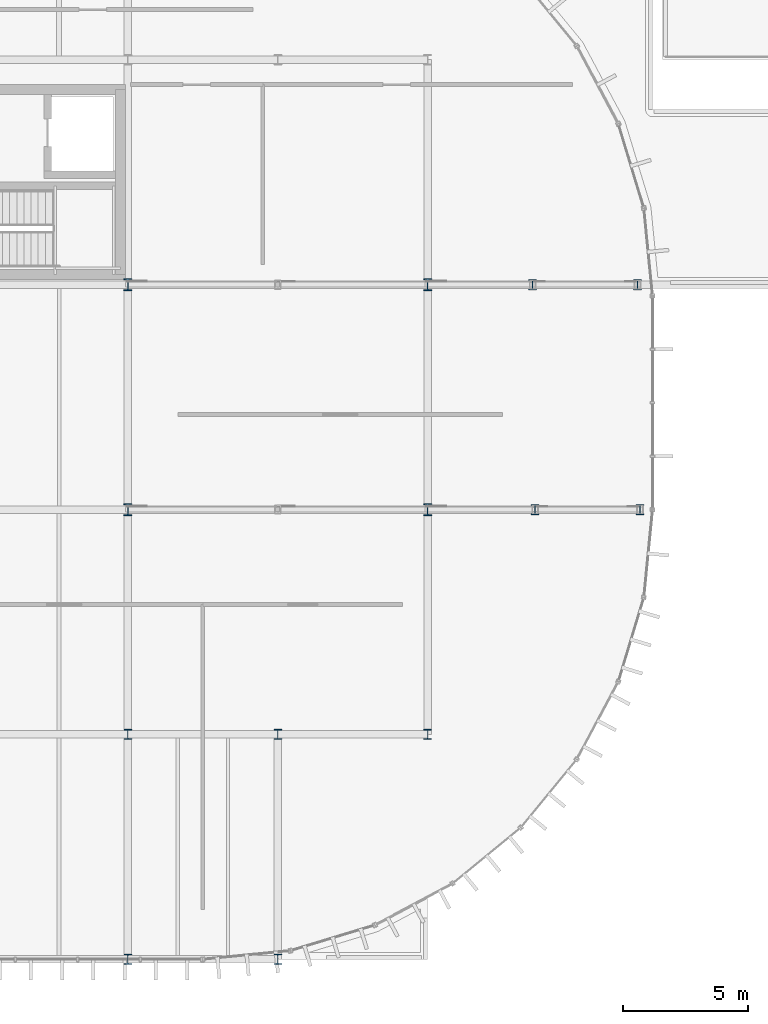
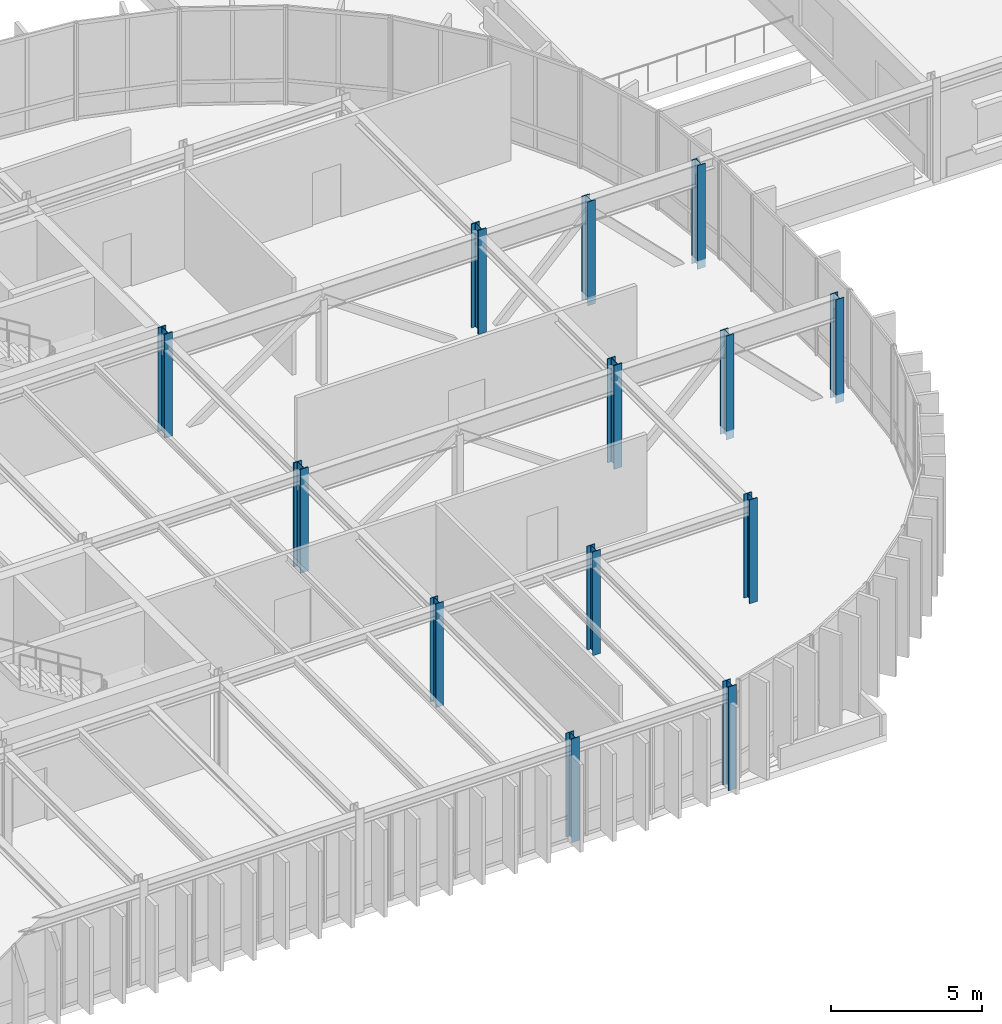
# One storey, part 4 of 69: 13 columns.
"""IFC4 building model written with IfcOpenShell, lengths in metres."""

from ifc_helpers import new_model, si_unit, direction, frame, origin, origin_2d, place, context, subcontext, project, spatial, i_section, extrude, material, material_profile, profile_set, type_object, element, save


model = new_model("IFC4")

# Units and contexts
model_context = context("Model", 3, precision=1e-05, world=origin(), true_north=direction((0.0, 1.0)))
body_context = subcontext(model_context, "Body", "Model", "MODEL_VIEW")
ifc_project = project(units=[si_unit("LENGTHUNIT", "METRE"), si_unit("AREAUNIT", "SQUARE_METRE"), si_unit("VOLUMEUNIT", "CUBIC_METRE"), si_unit("PLANEANGLEUNIT", "RADIAN"), si_unit("MASSUNIT", "GRAM", prefix="KILO")], contexts=[model_context])

# Site, building, storey
site_placement = place(None, origin())
site = spatial("IfcSite", under=ifc_project, at=site_placement, CompositionType="ELEMENT")
building_placement = place(site_placement, origin())
building = spatial("IfcBuilding", under=site, at=building_placement, Name="Montealbar Specialist Clinic", CompositionType="ELEMENT")
storey_placement = place(building_placement, frame((0.0, 0.0, 9.60009765625)))
storey = spatial("IfcBuildingStorey", under=building, at=storey_placement, Name="L02", CompositionType="ELEMENT", Elevation=9.60009765625)

# Columns
ifc_material = material(Name="Steel S355", Category="steel")
ifc_material_profile_1 = material_profile(ifc_material, i_section(OverallWidth=0.306884765625, OverallDepth=0.47802734375, WebThickness=0.02099609375, FlangeThickness=0.0400390625, FilletRadius=0.027099609375, at=origin_2d()), Name="HEM 450", Category="steel")
ifc_profile_set_1 = profile_set([ifc_material_profile_1], Name="Steel S355")
column_type_1 = type_object("IfcColumnType", Name="COL-S-L01-MEGA", PredefinedType="COLUMN", material=ifc_profile_set_1)
for number, where, z_axis, x_axis, name in (
    (1, (99.0, 18.0, 0.0), (0.0, 0.0, 1.0), (1.0, 0.0, 0.0), "Column 13/C L02"),
    (2, (99.0, 27.0, 0.0), (0.0, 0.0, 1.0), (1.0, 0.0, 0.0), "Column 13/D L02"),
    (3, (111.0, 18.0, 0.0), (0.0, 0.0, 1.0), (1.0, 0.0, 0.0), "Column 15/C L02"),
    (4, (111.0, 27.0, 0.0), (0.0, 0.0, 1.0), (1.0, 0.0, 0.0), "Column 15/D L02"),
):
    element("IfcColumn", number, at=place(storey_placement, frame(where, z_axis=z_axis, x_axis=x_axis)), inside=storey, type_object=column_type_1, Name=name, PredefinedType="COLUMN", context=body_context, shape_type="SweptSolid", body=[
        extrude(i_section(OverallWidth=0.306884765625, OverallDepth=0.47802734375, WebThickness=0.02099609375, FlangeThickness=0.0400390625, FilletRadius=0.027099609375, at=origin_2d()), origin(), (0.0, 0.0, 1.0), 4.199951171875),
    ])
ifc_material_profile_2 = material_profile(ifc_material, i_section(OverallWidth=0.300048828125, OverallDepth=0.39990234375, WebThickness=0.013427734375, FlangeThickness=0.02392578125, FilletRadius=0.027099609375, at=origin_2d()), Name="HEB 400", Category="steel")
ifc_profile_set_2 = profile_set([ifc_material_profile_2], Name="Steel S355")
column_type_2 = type_object("IfcColumnType", Name="COL-S-L02-STD", PredefinedType="COLUMN", material=ifc_profile_set_2)
for number, where, z_axis, x_axis, name in (
    (5, (99.0, 9.0, 0.0), (0.0, 0.0, 1.0), (1.0, 0.0, 0.0), "Column 13/B L02"),
    (6, (105.0, 9.0, 0.0), (0.0, 0.0, 1.0), (1.0, 0.0, 0.0), "Column 14/B L02"),
    (7, (111.0, 9.0, 0.0), (0.0, 0.0, 1.0), (1.0, 0.0, 0.0), "Column 15/B L02"),
    (8, (115.199951171875, 27.0, -0.340087890625), (0.0, 0.0, 1.0), (1.0, 0.0, 0.0), "Column 15A/D L02"),
    (9, (115.300048828125, 18.0, -0.340087890625), (0.0, 0.0, 1.0), (1.0, 0.0, 0.0), "Column 15A/C L02"),
):
    element("IfcColumn", number, at=place(storey_placement, frame(where, z_axis=z_axis, x_axis=x_axis)), inside=storey, type_object=column_type_2, Name=name, PredefinedType="COLUMN", context=body_context, shape_type="SweptSolid", body=[
        extrude(i_section(OverallWidth=0.300048828125, OverallDepth=0.39990234375, WebThickness=0.013427734375, FlangeThickness=0.02392578125, FilletRadius=0.027099609375, at=origin_2d()), origin(), (0.0, 0.0, 1.0), 4.199951171875),
    ])
ifc_material_profile_3 = material_profile(ifc_material, i_section(OverallWidth=0.300048828125, OverallDepth=0.39990234375, WebThickness=0.013427734375, FlangeThickness=0.02392578125, FilletRadius=0.027099609375, at=origin_2d()), Name="HEB 400", Category="steel")
ifc_profile_set_3 = profile_set([ifc_material_profile_3], Name="Steel S355")
column_type_3 = type_object("IfcColumnType", Name="COL-S-L02-STD-EXT", PredefinedType="COLUMN", material=ifc_profile_set_3)
for number, where, z_axis, x_axis, name in (
    (10, (99.0, 0.0, 0.0), (0.0, 0.0, 1.0), (1.0, 0.0, 0.0), "Column 13/A L02"),
    (11, (105.0, 0.0, 0.0), (0.0, 0.0, 1.0), (1.0, 0.0, 0.0), "Column 14/A L02"),
    (12, (119.39990234375, 27.0, -0.340087890625), (0.0, 0.0, 1.0), (1.0, 0.0, 0.0), "Column 16E/D L02"),
    (13, (119.5, 18.0, -0.340087890625), (0.0, 0.0, 1.0), (1.0, 0.0, 0.0), "Column 16E/C L02"),
):
    element("IfcColumn", number, at=place(storey_placement, frame(where, z_axis=z_axis, x_axis=x_axis)), inside=storey, type_object=column_type_3, Name=name, PredefinedType="COLUMN", context=body_context, shape_type="SweptSolid", body=[
        extrude(i_section(OverallWidth=0.300048828125, OverallDepth=0.39990234375, WebThickness=0.013427734375, FlangeThickness=0.02392578125, FilletRadius=0.027099609375, at=origin_2d()), origin(), (0.0, 0.0, 1.0), 4.199951171875),
    ])

save(model, "model.ifc")
